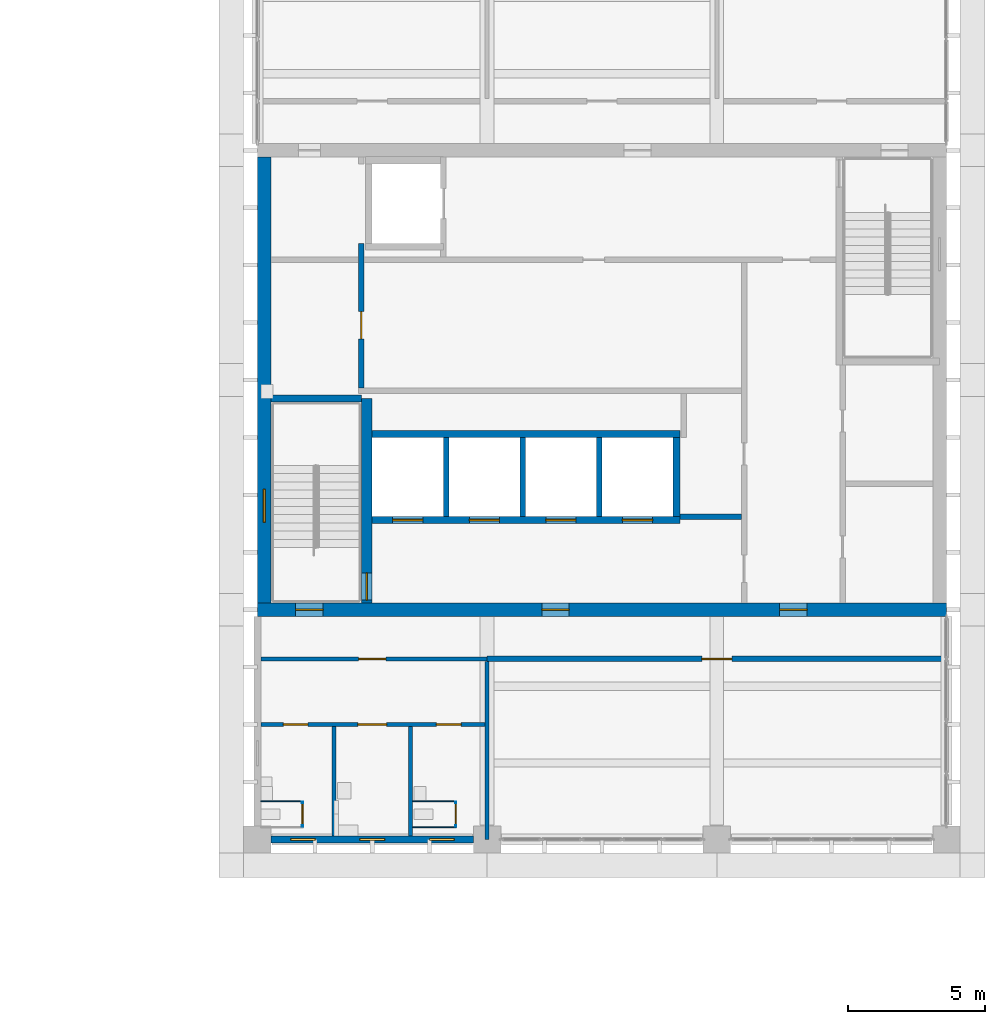
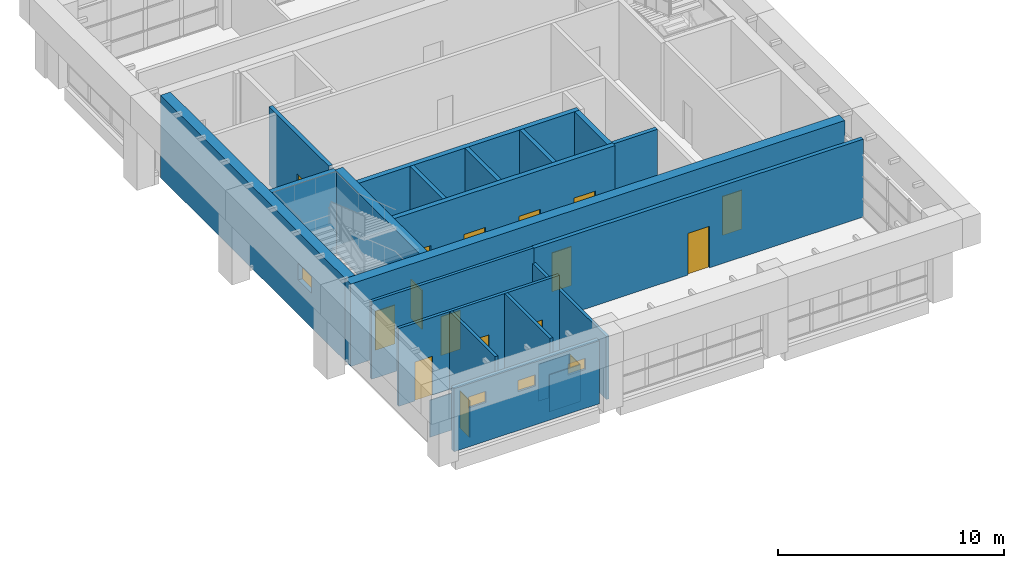
# One storey, part 29 of 56: 24 walls, 16 doors, 4 windows, 20 openings.
"""IFC4 building model written with IfcOpenShell, lengths in metres."""

from ifc_helpers import new_model, si_unit, direction, frame, frame_2d, origin, place, context, subcontext, project, spatial, rectangle, extrude, material, layer, layer_set, type_object, element, fill, save


model = new_model("IFC4")

# Units and contexts
model_context = context("Model", 3, precision=1e-05, world=origin(), true_north=direction((0.0, 1.0)))
body_context = subcontext(model_context, "Body", "Model", "MODEL_VIEW")
ifc_project = project(units=[si_unit("LENGTHUNIT", "METRE"), si_unit("AREAUNIT", "SQUARE_METRE"), si_unit("VOLUMEUNIT", "CUBIC_METRE"), si_unit("PLANEANGLEUNIT", "RADIAN"), si_unit("MASSUNIT", "GRAM", prefix="KILO")], contexts=[model_context])

# Site, building, storey
site_placement = place(None, origin())
site = spatial("IfcSite", under=ifc_project, at=site_placement, CompositionType="ELEMENT")
building_placement = place(site_placement, origin())
building = spatial("IfcBuilding", under=site, at=building_placement, Name="Rulbaag Community and Learning Centre", CompositionType="ELEMENT")
storey_placement = place(building_placement, frame((0.0, 0.0, 9.89990234375)))
storey = spatial("IfcBuildingStorey", under=building, at=storey_placement, Name="L02", CompositionType="ELEMENT", Elevation=9.89990234375)

# Wall
ifc_material_1 = material(Name="High pressure laminate", Category="wood")
ifc_layer_1 = layer(ifc_material_1, 0.0400390625)
ifc_layer_set_1 = layer_set([ifc_layer_1], Name="CP-40")
wall_type_1 = type_object("IfcWallType", Name="CP-40", PredefinedType="PARTITIONING", material=ifc_layer_set_1)
wall_1_placement = place(storey_placement, frame((142.925048828125, 85.389892578125, 0.0), z_axis=(0.0, 0.0, 1.0), x_axis=(1.0, 0.0, 0.0)))
element("IfcWall", 1, at=wall_1_placement, inside=storey, type_object=wall_type_1, Name="Cubicle partition", PredefinedType="PARTITIONING", context=body_context, shape_type="SweptSolid", body=[
    extrude(rectangle(XDim=1.544921875, YDim=0.0400390625, at=frame_2d((0.7724609375, 0.0))), origin(), (0.0, 0.0, 1.0), 2.0),
])

# Wall, opening, door
wall_2_placement = place(storey_placement, frame((144.449951171875, 84.469970703125, 0.0), z_axis=(0.0, 0.0, 1.0), x_axis=(0.0, 1.0, 0.0)))
wall_2 = element("IfcWall", 2, at=wall_2_placement, inside=storey, type_object=wall_type_1, Name="Cubicle partition", PredefinedType="PARTITIONING", context=body_context, shape_type="SweptSolid", body=[
    extrude(rectangle(XDim=0.900146484375, YDim=0.0400390625, at=frame_2d((0.4501953125, 0.0))), origin(), (0.0, 0.0, 1.0), 2.0),
])
opening_1_placement = place(wall_2_placement, frame((0.050048828125, 0.0, 0.0)))
opening_1 = element("IfcOpeningElement", 3, at=opening_1_placement, cuts=wall_2, Name="Opening L02-D080", PredefinedType="OPENING", context=body_context, shape_type="SweptSolid", body=[
    extrude(rectangle(XDim=0.800048828125, YDim=2.0, at=frame_2d((0.39990234375, 1.0))), frame((0.0, 0.030029296875, 0.0), z_axis=(0.0, -1.0, 0.0), x_axis=(1.0, 0.0, 0.0)), (0.0, 0.0, 1.0), 0.06005859375),
])
door_type_1 = type_object("IfcDoorType", Name="DC-80", OperationType="SINGLE_SWING_LEFT", PredefinedType="DOOR", material=ifc_material_1)
door_1_placement = place(opening_1_placement, origin())
door_1 = element("IfcDoor", 4, at=door_1_placement, inside=storey, type_object=door_type_1, Name="Cubicle door", OperationType="SINGLE_SWING_LEFT", OverallHeight=2.0, OverallWidth=0.800048828125, PredefinedType="DOOR", context=body_context, shape_type="SweptSolid", body=[
    extrude(rectangle(XDim=0.800048828125, YDim=2.0, at=frame_2d((0.39990234375, 1.0))), frame((0.0, 0.019775390625, 0.0), z_axis=(0.0, -1.0, 0.0), x_axis=(1.0, 0.0, 0.0)), (0.0, 0.0, 1.0), 0.03955078125),
])
fill(opening_1, door_1)

# Walls
for number, where, z_axis, x_axis, name in (
    (5, (148.47509765625, 84.449951171875, 0.0), (0.0, 0.0, 1.0), (1.0, 0.0, 0.0), "Cubicle partition"),
    (6, (148.47509765625, 85.389892578125, 0.0), (0.0, 0.0, 1.0), (1.0, 0.0, 0.0), "Cubicle partition"),
):
    element("IfcWall", number, at=place(storey_placement, frame(where, z_axis=z_axis, x_axis=x_axis)), inside=storey, type_object=wall_type_1, Name=name, PredefinedType="PARTITIONING", context=body_context, shape_type="SweptSolid", body=[
        extrude(rectangle(XDim=1.594970703125, YDim=0.0400390625, at=frame_2d((0.79736328125, 0.0))), origin(), (0.0, 0.0, 1.0), 2.0),
    ])

# Wall, opening, door
wall_3_placement = place(storey_placement, frame((150.050048828125, 84.469970703125, 0.0), z_axis=(0.0, 0.0, 1.0), x_axis=(0.0, 1.0, 0.0)))
wall_3 = element("IfcWall", 7, at=wall_3_placement, inside=storey, type_object=wall_type_1, Name="Cubicle partition", PredefinedType="PARTITIONING", context=body_context, shape_type="SweptSolid", body=[
    extrude(rectangle(XDim=0.900146484375, YDim=0.0400390625, at=frame_2d((0.4501953125, 0.0))), origin(), (0.0, 0.0, 1.0), 2.0),
])
opening_2_placement = place(wall_3_placement, frame((0.050048828125, 0.0, 0.0)))
opening_2 = element("IfcOpeningElement", 8, at=opening_2_placement, cuts=wall_3, Name="Opening L02-D091", PredefinedType="OPENING", context=body_context, shape_type="SweptSolid", body=[
    extrude(rectangle(XDim=0.800048828125, YDim=2.0, at=frame_2d((0.39990234375, 1.0))), frame((0.0, 0.030029296875, 0.0), z_axis=(0.0, -1.0, 0.0), x_axis=(1.0, 0.0, 0.0)), (0.0, 0.0, 1.0), 0.06005859375),
])
door_2_placement = place(opening_2_placement, origin())
door_2 = element("IfcDoor", 9, at=door_2_placement, inside=storey, type_object=door_type_1, Name="Cubicle door", OperationType="SINGLE_SWING_LEFT", OverallHeight=2.0, OverallWidth=0.800048828125, PredefinedType="DOOR", context=body_context, shape_type="SweptSolid", body=[
    extrude(rectangle(XDim=0.800048828125, YDim=2.0, at=frame_2d((0.39990234375, 1.0))), frame((0.0, 0.019775390625, 0.0), z_axis=(0.0, -1.0, 0.0), x_axis=(1.0, 0.0, 0.0)), (0.0, 0.0, 1.0), 0.03955078125),
])
fill(opening_2, door_2)

# Wall, openings, windows
ifc_material_2 = material(Name="Concrete M40", Category="concrete")
ifc_layer_2 = layer(ifc_material_2, 0.25)
ifc_layer_set_2 = layer_set([ifc_layer_2], Name="EW-CONC250")
wall_type_2 = type_object("IfcWallType", Name="EW-CONC250", PredefinedType="STANDARD", material=ifc_layer_set_2)
wall_4_placement = place(storey_placement, frame((143.300048828125, 84.0, 0.0), z_axis=(0.0, 0.0, 1.0), x_axis=(1.0, 0.0, 0.0)))
wall_4 = element("IfcWall", 10, at=wall_4_placement, inside=storey, type_object=wall_type_2, Name="Board-marked concrete cladding wall BS", PredefinedType="STANDARD", context=body_context, shape_type="SweptSolid", body=[
    extrude(rectangle(XDim=7.39990234375, YDim=0.25, at=frame_2d((3.699951171875, 0.0))), origin(), (0.0, 0.0, 1.0), 3.400146484375),
])
opening_3_placement = place(wall_4_placement, frame((0.72509765625, 0.0, 2.10009765625)))
opening_3 = element("IfcOpeningElement", 11, at=opening_3_placement, cuts=wall_4, Name="Opening WN5", PredefinedType="OPENING", context=body_context, shape_type="SweptSolid", body=[
    extrude(rectangle(XDim=0.89990234375, YDim=0.60009765625, at=frame_2d((0.449951171875, 0.300048828125))), frame((0.0, 0.135009765625, 0.0), z_axis=(0.0, -1.0, 0.0), x_axis=(1.0, 0.0, 0.0)), (0.0, 0.0, 1.0), 0.27001953125),
])
opening_4_placement = place(wall_4_placement, frame((3.25, 0.0, 2.10009765625)))
opening_4 = element("IfcOpeningElement", 12, at=opening_4_placement, cuts=wall_4, Name="Opening WN5", PredefinedType="OPENING", context=body_context, shape_type="SweptSolid", body=[
    extrude(rectangle(XDim=0.89990234375, YDim=0.60009765625, at=frame_2d((0.449951171875, 0.300048828125))), frame((0.0, 0.135009765625, 0.0), z_axis=(0.0, -1.0, 0.0), x_axis=(1.0, 0.0, 0.0)), (0.0, 0.0, 1.0), 0.27001953125),
])
opening_5_placement = place(wall_4_placement, frame((5.800048828125, 0.0, 2.10009765625)))
opening_5 = element("IfcOpeningElement", 13, at=opening_5_placement, cuts=wall_4, Name="Opening WN5", PredefinedType="OPENING", context=body_context, shape_type="SweptSolid", body=[
    extrude(rectangle(XDim=0.89990234375, YDim=0.60009765625, at=frame_2d((0.449951171875, 0.300048828125))), frame((0.0, 0.135009765625, 0.0), z_axis=(0.0, -1.0, 0.0), x_axis=(1.0, 0.0, 0.0)), (0.0, 0.0, 1.0), 0.27001953125),
])
ifc_material_3 = material(Name="Aluminium", Category="aluminium")
window_type_1 = type_object("IfcWindowType", Name="WK-09", PartitioningType="SINGLE_PANEL", PredefinedType="WINDOW", material=ifc_material_3)
window_1_placement = place(opening_3_placement, origin())
window_1 = element("IfcWindow", 14, at=window_1_placement, inside=storey, type_object=window_type_1, Name="Window WN5", OverallHeight=0.60009765625, OverallWidth=0.89990234375, PartitioningType="SINGLE_PANEL", PredefinedType="WINDOW", context=body_context, shape_type="SweptSolid", body=[
    extrude(rectangle(XDim=0.89990234375, YDim=0.60009765625, at=frame_2d((0.449951171875, 0.300048828125))), frame((0.0, 0.030029296875, 0.0), z_axis=(0.0, -1.0, 0.0), x_axis=(1.0, 0.0, 0.0)), (0.0, 0.0, 1.0), 0.06005859375),
])
fill(opening_3, window_1)
window_2_placement = place(opening_4_placement, origin())
window_2 = element("IfcWindow", 15, at=window_2_placement, inside=storey, type_object=window_type_1, Name="Window WN5", OverallHeight=0.60009765625, OverallWidth=0.89990234375, PartitioningType="SINGLE_PANEL", PredefinedType="WINDOW", context=body_context, shape_type="SweptSolid", body=[
    extrude(rectangle(XDim=0.89990234375, YDim=0.60009765625, at=frame_2d((0.449951171875, 0.300048828125))), frame((0.0, 0.030029296875, 0.0), z_axis=(0.0, -1.0, 0.0), x_axis=(1.0, 0.0, 0.0)), (0.0, 0.0, 1.0), 0.06005859375),
])
fill(opening_4, window_2)
window_3_placement = place(opening_5_placement, origin())
window_3 = element("IfcWindow", 16, at=window_3_placement, inside=storey, type_object=window_type_1, Name="Window WN5", OverallHeight=0.60009765625, OverallWidth=0.89990234375, PartitioningType="SINGLE_PANEL", PredefinedType="WINDOW", context=body_context, shape_type="SweptSolid", body=[
    extrude(rectangle(XDim=0.89990234375, YDim=0.60009765625, at=frame_2d((0.449951171875, 0.300048828125))), frame((0.0, 0.030029296875, 0.0), z_axis=(0.0, -1.0, 0.0), x_axis=(1.0, 0.0, 0.0)), (0.0, 0.0, 1.0), 0.06005859375),
])
fill(opening_5, window_3)

# Wall, opening, door
ifc_material_4 = material(Name="Concrete blockwork", Category="masonry")
ifc_layer_3 = layer(ifc_material_4, 0.199951171875)
ifc_layer_set_3 = layer_set([ifc_layer_3], Name="FW-200 FIRE WALL 200")
wall_type_3 = type_object("IfcWallType", Name="FW-200 FIRE WALL 200", PredefinedType="SOLIDWALL", material=ifc_layer_set_3)
wall_5_placement = place(storey_placement, frame((151.199951171875, 90.60009765625, 0.0), z_axis=(0.0, 0.0, 1.0), x_axis=(1.0, 0.0, 0.0)))
wall_5 = element("IfcWall", 17, at=wall_5_placement, inside=storey, type_object=wall_type_3, Name="Fire wall L02 40", PredefinedType="SOLIDWALL", context=body_context, shape_type="SweptSolid", body=[
    extrude(rectangle(XDim=16.800048828125, YDim=0.199951171875, at=frame_2d((8.39990234375, 0.0))), origin(), (0.0, 0.0, 1.0), 4.2001953125),
])
opening_6_placement = place(wall_5_placement, frame((7.85009765625, 0.0, 0.0)))
opening_6 = element("IfcOpeningElement", 18, at=opening_6_placement, cuts=wall_5, Name="Opening L02-D118", PredefinedType="OPENING", context=body_context, shape_type="SweptSolid", body=[
    extrude(rectangle(XDim=1.10009765625, YDim=2.25, at=frame_2d((0.550048828125, 1.125))), frame((0.0, 0.10986328125, 0.0), z_axis=(0.0, -1.0, 0.0), x_axis=(1.0, 0.0, 0.0)), (0.0, 0.0, 1.0), 0.219970703125),
])
ifc_material_5 = material(Name="Timber", Category="wood")
door_type_2 = type_object("IfcDoorType", Name="D-1100 OFFICE SUITE ENTRANCE DOOR 1100 x 2250", OperationType="SINGLE_SWING_LEFT", PredefinedType="DOOR", material=ifc_material_5)
door_3_placement = place(opening_6_placement, origin())
door_3 = element("IfcDoor", 19, at=door_3_placement, inside=storey, type_object=door_type_2, Name="Door L02-D118", OperationType="SINGLE_SWING_LEFT", OverallHeight=2.25, OverallWidth=1.10009765625, PredefinedType="DOOR", context=body_context, shape_type="SweptSolid", body=[
    extrude(rectangle(XDim=1.10009765625, YDim=2.25, at=frame_2d((0.550048828125, 1.125))), frame((0.0, 0.02490234375, 0.0), z_axis=(0.0, -1.0, 0.0), x_axis=(1.0, 0.0, 0.0)), (0.0, 0.0, 1.0), 0.050048828125),
])
fill(opening_6, door_3)

# Wall
wall_6_placement = place(storey_placement, frame((158.25, 95.800048828125, 0.0), z_axis=(0.0, 0.0, 1.0), x_axis=(1.0, 0.0, 0.0)))
element("IfcWall", 20, at=wall_6_placement, inside=storey, type_object=wall_type_3, Name="Fire wall L02 42", PredefinedType="SOLIDWALL", context=body_context, shape_type="SweptSolid", body=[
    extrude(rectangle(XDim=2.25, YDim=0.199951171875, at=frame_2d((1.125, 0.0))), origin(), (0.0, 0.0, 1.0), 4.2001953125),
])

# Wall, opening, door
wall_7_placement = place(storey_placement, frame((146.60009765625, 100.5, 0.0), z_axis=(0.0, 0.0, 1.0), x_axis=(0.0, 1.0, 0.0)))
wall_7 = element("IfcWall", 21, at=wall_7_placement, inside=storey, type_object=wall_type_3, Name="Fire wall L02 73", PredefinedType="SOLIDWALL", context=body_context, shape_type="SweptSolid", body=[
    extrude(rectangle(XDim=5.300048828125, YDim=0.199951171875, at=frame_2d((2.64990234375, 0.0))), origin(), (0.0, 0.0, 1.0), 4.2001953125),
])
opening_7_placement = place(wall_7_placement, frame((1.800048828125, 0.0, 0.0)))
opening_7 = element("IfcOpeningElement", 22, at=opening_7_placement, cuts=wall_7, Name="Opening L02-D083", PredefinedType="OPENING", context=body_context, shape_type="SweptSolid", body=[
    extrude(rectangle(XDim=1.0, YDim=2.10009765625, at=frame_2d((0.5, 1.050048828125))), frame((0.0, 0.10986328125, 0.0), z_axis=(0.0, -1.0, 0.0), x_axis=(1.0, 0.0, 0.0)), (0.0, 0.0, 1.0), 0.219970703125),
])
ifc_material_6 = material(Name="Galvanised steel", Category="steel")
door_type_3 = type_object("IfcDoorType", Name="FD-1000 FIRE DOOR 1000 x 2100", OperationType="SINGLE_SWING_LEFT", PredefinedType="DOOR", material=ifc_material_6)
door_4_placement = place(opening_7_placement, origin())
door_4 = element("IfcDoor", 23, at=door_4_placement, inside=storey, type_object=door_type_3, Name="Door L02-D083", OperationType="SINGLE_SWING_LEFT", OverallHeight=2.10009765625, OverallWidth=1.0, PredefinedType="DOOR", context=body_context, shape_type="SweptSolid", body=[
    extrude(rectangle(XDim=1.0, YDim=2.10009765625, at=frame_2d((0.5, 1.050048828125))), frame((0.0, 0.02490234375, 0.0), z_axis=(0.0, -1.0, 0.0), x_axis=(1.0, 0.0, 0.0)), (0.0, 0.0, 1.0), 0.050048828125),
])
fill(opening_7, door_4)

# Wall, openings, doors
ifc_layer_4 = layer(ifc_material_4, 0.14990234375)
ifc_layer_set_4 = layer_set([ifc_layer_4], Name="IP-150 PARTITION 150")
wall_type_4 = type_object("IfcWallType", Name="IP-150 PARTITION 150", PredefinedType="PARTITIONING", material=ifc_layer_set_4)
wall_8_placement = place(storey_placement, frame((142.925048828125, 88.199951171875, 0.0), z_axis=(0.0, 0.0, 1.0), x_axis=(1.0, 0.0, 0.0)))
wall_8 = element("IfcWall", 24, at=wall_8_placement, inside=storey, type_object=wall_type_4, Name="Partition L02 38", PredefinedType="PARTITIONING", context=body_context, shape_type="SweptSolid", body=[
    extrude(rectangle(XDim=8.199951171875, YDim=0.14990234375, at=frame_2d((4.10009765625, 0.0))), origin(), (0.0, 0.0, 1.0), 4.2001953125),
])
opening_8_placement = place(wall_8_placement, frame((0.824951171875, 0.0, 0.0)))
opening_8 = element("IfcOpeningElement", 25, at=opening_8_placement, cuts=wall_8, Name="Opening L02-D079", PredefinedType="OPENING", context=body_context, shape_type="SweptSolid", body=[
    extrude(rectangle(XDim=0.89990234375, YDim=2.10009765625, at=frame_2d((0.449951171875, 1.050048828125))), frame((0.0, 0.0849609375, 0.0), z_axis=(0.0, -1.0, 0.0), x_axis=(1.0, 0.0, 0.0)), (0.0, 0.0, 1.0), 0.169921875),
])
opening_9_placement = place(wall_8_placement, frame((3.550048828125, 0.0, 0.0)))
opening_9 = element("IfcOpeningElement", 26, at=opening_9_placement, cuts=wall_8, Name="Opening L02-D085", PredefinedType="OPENING", context=body_context, shape_type="SweptSolid", body=[
    extrude(rectangle(XDim=1.050048828125, YDim=2.25, at=frame_2d((0.52490234375, 1.125))), frame((0.0, 0.0849609375, 0.0), z_axis=(0.0, -1.0, 0.0), x_axis=(1.0, 0.0, 0.0)), (0.0, 0.0, 1.0), 0.169921875),
])
opening_10_placement = place(wall_8_placement, frame((6.425048828125, 0.0, 0.0)))
opening_10 = element("IfcOpeningElement", 27, at=opening_10_placement, cuts=wall_8, Name="Opening L02-D090", PredefinedType="OPENING", context=body_context, shape_type="SweptSolid", body=[
    extrude(rectangle(XDim=0.89990234375, YDim=2.10009765625, at=frame_2d((0.449951171875, 1.050048828125))), frame((0.0, 0.0849609375, 0.0), z_axis=(0.0, -1.0, 0.0), x_axis=(1.0, 0.0, 0.0)), (0.0, 0.0, 1.0), 0.169921875),
])
door_type_4 = type_object("IfcDoorType", Name="D-1050 ACCESSIBLE TOILET DOOR 1050 x 2250", OperationType="SINGLE_SWING_LEFT", PredefinedType="DOOR", material=ifc_material_5)
door_5_placement = place(opening_9_placement, origin())
door_5 = element("IfcDoor", 28, at=door_5_placement, inside=storey, type_object=door_type_4, Name="Door L02-D085", OperationType="SINGLE_SWING_LEFT", OverallHeight=2.25, OverallWidth=1.050048828125, PredefinedType="DOOR", context=body_context, shape_type="SweptSolid", body=[
    extrude(rectangle(XDim=1.050048828125, YDim=2.25, at=frame_2d((0.52490234375, 1.125))), frame((0.0, 0.02490234375, 0.0), z_axis=(0.0, -1.0, 0.0), x_axis=(1.0, 0.0, 0.0)), (0.0, 0.0, 1.0), 0.050048828125),
])
fill(opening_9, door_5)
door_type_5 = type_object("IfcDoorType", Name="DW-900 TOILET DOOR 900 x 2100", OperationType="SINGLE_SWING_LEFT", PredefinedType="DOOR", material=ifc_material_5)
door_6_placement = place(opening_8_placement, origin())
door_6 = element("IfcDoor", 29, at=door_6_placement, inside=storey, type_object=door_type_5, Name="Door L02-D079", OperationType="SINGLE_SWING_LEFT", OverallHeight=2.10009765625, OverallWidth=0.89990234375, PredefinedType="DOOR", context=body_context, shape_type="SweptSolid", body=[
    extrude(rectangle(XDim=0.89990234375, YDim=2.10009765625, at=frame_2d((0.449951171875, 1.050048828125))), frame((0.0, 0.02490234375, 0.0), z_axis=(0.0, -1.0, 0.0), x_axis=(1.0, 0.0, 0.0)), (0.0, 0.0, 1.0), 0.050048828125),
])
fill(opening_8, door_6)
door_7_placement = place(opening_10_placement, origin())
door_7 = element("IfcDoor", 30, at=door_7_placement, inside=storey, type_object=door_type_5, Name="Door L02-D090", OperationType="SINGLE_SWING_RIGHT", OverallHeight=2.10009765625, OverallWidth=0.89990234375, PredefinedType="DOOR", context=body_context, shape_type="SweptSolid", body=[
    extrude(rectangle(XDim=0.89990234375, YDim=2.10009765625, at=frame_2d((0.449951171875, 1.050048828125))), frame((0.0, 0.02490234375, 0.0), z_axis=(0.0, -1.0, 0.0), x_axis=(1.0, 0.0, 0.0)), (0.0, 0.0, 1.0), 0.050048828125),
])
fill(opening_10, door_7)

# Wall, opening, door
wall_9_placement = place(storey_placement, frame((142.925048828125, 90.60009765625, 0.0), z_axis=(0.0, 0.0, 1.0), x_axis=(1.0, 0.0, 0.0)))
wall_9 = element("IfcWall", 31, at=wall_9_placement, inside=storey, type_object=wall_type_4, Name="Partition L02 39", PredefinedType="PARTITIONING", context=body_context, shape_type="SweptSolid", body=[
    extrude(rectangle(XDim=8.27490234375, YDim=0.14990234375, at=frame_2d((4.137451171875, 0.0))), origin(), (0.0, 0.0, 1.0), 4.2001953125),
])
opening_11_placement = place(wall_9_placement, frame((3.574951171875, 0.0, 0.0)))
opening_11 = element("IfcOpeningElement", 32, at=opening_11_placement, cuts=wall_9, Name="Opening L02-D086", PredefinedType="OPENING", context=body_context, shape_type="SweptSolid", body=[
    extrude(rectangle(XDim=1.0, YDim=2.10009765625, at=frame_2d((0.5, 1.050048828125))), frame((0.0, 0.0849609375, 0.0), z_axis=(0.0, -1.0, 0.0), x_axis=(1.0, 0.0, 0.0)), (0.0, 0.0, 1.0), 0.169921875),
])
door_type_6 = type_object("IfcDoorType", Name="D-1000 DOOR 1000 x 2100", OperationType="SINGLE_SWING_LEFT", PredefinedType="DOOR", material=ifc_material_5)
door_8_placement = place(opening_11_placement, origin())
door_8 = element("IfcDoor", 33, at=door_8_placement, inside=storey, type_object=door_type_6, Name="Door L02-D086", OperationType="SINGLE_SWING_RIGHT", OverallHeight=2.10009765625, OverallWidth=1.0, PredefinedType="DOOR", context=body_context, shape_type="SweptSolid", body=[
    extrude(rectangle(XDim=1.0, YDim=2.10009765625, at=frame_2d((0.5, 1.050048828125))), frame((0.0, 0.02490234375, 0.0), z_axis=(0.0, -1.0, 0.0), x_axis=(1.0, 0.0, 0.0)), (0.0, 0.0, 1.0), 0.050048828125),
])
fill(opening_11, door_8)

# Walls
for number, where, z_axis, x_axis, name in (
    (34, (145.60009765625, 84.125, 0.0), (0.0, 0.0, 1.0), (0.0, 1.0, 0.0), "Partition L02 72"),
    (35, (148.39990234375, 84.125, 0.0), (0.0, 0.0, 1.0), (0.0, 1.0, 0.0), "Partition L02 75"),
):
    element("IfcWall", number, at=place(storey_placement, frame(where, z_axis=z_axis, x_axis=x_axis)), inside=storey, type_object=wall_type_4, Name=name, PredefinedType="PARTITIONING", context=body_context, shape_type="SweptSolid", body=[
        extrude(rectangle(XDim=4.0, YDim=0.14990234375, at=frame_2d((2.0, 0.0))), origin(), (0.0, 0.0, 1.0), 4.2001953125),
    ])
wall_10_placement = place(storey_placement, frame((151.199951171875, 84.0, 0.0), z_axis=(0.0, 0.0, 1.0), x_axis=(0.0, 1.0, 0.0)))
element("IfcWall", 36, at=wall_10_placement, inside=storey, type_object=wall_type_4, Name="Partition L02 80", PredefinedType="PARTITIONING", context=body_context, shape_type="SweptSolid", body=[
    extrude(rectangle(XDim=6.5, YDim=0.14990234375, at=frame_2d((3.25, 0.0))), origin(), (0.0, 0.0, 1.0), 3.400146484375),
])

# Wall, openings, doors
ifc_material_7 = material(Name="Concrete M60", Category="concrete")
ifc_layer_5 = layer(ifc_material_7, 0.5)
ifc_layer_set_5 = layer_set([ifc_layer_5], Name="W4 Core wall 500 Concrete M60")
wall_type_5 = type_object("IfcWallType", Name="W4 Core wall 500 Concrete M60", PredefinedType="SHEAR", material=ifc_layer_set_5)
wall_11_placement = place(storey_placement, frame((142.800048828125, 92.39990234375, -0.25), z_axis=(0.0, 0.0, 1.0), x_axis=(1.0, 0.0, 0.0)))
wall_11 = element("IfcWall", 37, at=wall_11_placement, inside=storey, type_object=wall_type_5, Name="WL-CORE-S-L02", PredefinedType="SHEAR", context=body_context, shape_type="SweptSolid", body=[
    extrude(rectangle(XDim=25.199951171875, YDim=0.5, at=frame_2d((12.60009765625, 0.0))), origin(), (0.0, 0.0, 1.0), 4.4501953125),
])
opening_12_placement = place(wall_11_placement, frame((1.39990234375, 0.0, 0.25)))
opening_12 = element("IfcOpeningElement", 38, at=opening_12_placement, cuts=wall_11, Name="Opening L02-D081", PredefinedType="OPENING", context=body_context, shape_type="SweptSolid", body=[
    extrude(rectangle(XDim=1.0, YDim=2.10009765625, at=frame_2d((0.5, 1.050048828125))), frame((0.0, 0.260009765625, 0.0), z_axis=(0.0, -1.0, 0.0), x_axis=(1.0, 0.0, 0.0)), (0.0, 0.0, 1.0), 0.52001953125),
])
opening_13_placement = place(wall_11_placement, frame((19.10009765625, 0.0, 0.25)))
opening_13 = element("IfcOpeningElement", 39, at=opening_13_placement, cuts=wall_11, Name="Opening L02-D127", PredefinedType="OPENING", context=body_context, shape_type="SweptSolid", body=[
    extrude(rectangle(XDim=1.0, YDim=2.10009765625, at=frame_2d((0.5, 1.050048828125))), frame((0.0, 0.260009765625, 0.0), z_axis=(0.0, -1.0, 0.0), x_axis=(1.0, 0.0, 0.0)), (0.0, 0.0, 1.0), 0.52001953125),
])
opening_14_placement = place(wall_11_placement, frame((10.39990234375, 0.0, 0.25)))
opening_14 = element("IfcOpeningElement", 40, at=opening_14_placement, cuts=wall_11, Name="Opening L02-D103", PredefinedType="OPENING", context=body_context, shape_type="SweptSolid", body=[
    extrude(rectangle(XDim=1.0, YDim=2.10009765625, at=frame_2d((0.5, 1.050048828125))), frame((0.0, 0.260009765625, 0.0), z_axis=(0.0, -1.0, 0.0), x_axis=(1.0, 0.0, 0.0)), (0.0, 0.0, 1.0), 0.52001953125),
])
door_9_placement = place(opening_13_placement, origin())
door_9 = element("IfcDoor", 41, at=door_9_placement, inside=storey, type_object=door_type_6, Name="Door L02-D127", OperationType="SINGLE_SWING_LEFT", OverallHeight=2.10009765625, OverallWidth=1.0, PredefinedType="DOOR", context=body_context, shape_type="SweptSolid", body=[
    extrude(rectangle(XDim=1.0, YDim=2.10009765625, at=frame_2d((0.5, 1.050048828125))), frame((0.0, 0.02490234375, 0.0), z_axis=(0.0, -1.0, 0.0), x_axis=(1.0, 0.0, 0.0)), (0.0, 0.0, 1.0), 0.050048828125),
])
fill(opening_13, door_9)
door_10_placement = place(opening_12_placement, origin())
door_10 = element("IfcDoor", 42, at=door_10_placement, inside=storey, type_object=door_type_3, Name="Door L02-D081", OperationType="SINGLE_SWING_RIGHT", OverallHeight=2.10009765625, OverallWidth=1.0, PredefinedType="DOOR", context=body_context, shape_type="SweptSolid", body=[
    extrude(rectangle(XDim=1.0, YDim=2.10009765625, at=frame_2d((0.5, 1.050048828125))), frame((0.0, 0.02490234375, 0.0), z_axis=(0.0, -1.0, 0.0), x_axis=(1.0, 0.0, 0.0)), (0.0, 0.0, 1.0), 0.050048828125),
])
fill(opening_12, door_10)
door_11_placement = place(opening_14_placement, origin())
door_11 = element("IfcDoor", 43, at=door_11_placement, inside=storey, type_object=door_type_3, Name="Door L02-D103", OperationType="SINGLE_SWING_RIGHT", OverallHeight=2.10009765625, OverallWidth=1.0, PredefinedType="DOOR", context=body_context, shape_type="SweptSolid", body=[
    extrude(rectangle(XDim=1.0, YDim=2.10009765625, at=frame_2d((0.5, 1.050048828125))), frame((0.0, 0.02490234375, 0.0), z_axis=(0.0, -1.0, 0.0), x_axis=(1.0, 0.0, 0.0)), (0.0, 0.0, 1.0), 0.050048828125),
])
fill(opening_14, door_11)

# Wall, opening, window
wall_12_placement = place(storey_placement, frame((143.050048828125, 92.64990234375, -0.25), z_axis=(0.0, 0.0, 1.0), x_axis=(0.0, 1.0, 0.0)))
wall_12 = element("IfcWall", 44, at=wall_12_placement, inside=storey, type_object=wall_type_5, Name="WL-CORE-W-L02", PredefinedType="SHEAR", context=body_context, shape_type="SweptSolid", body=[
    extrude(rectangle(XDim=16.300048828125, YDim=0.5, at=frame_2d((8.14990234375, 0.0))), origin(), (0.0, 0.0, 1.0), 4.4501953125),
])
opening_15_placement = place(wall_12_placement, frame((2.949951171875, 0.0, 1.85009765625)))
opening_15 = element("IfcOpeningElement", 45, at=opening_15_placement, cuts=wall_12, Name="Opening WN19", PredefinedType="OPENING", context=body_context, shape_type="SweptSolid", body=[
    extrude(rectangle(XDim=1.199951171875, YDim=0.89990234375, at=frame_2d((0.60009765625, 0.449951171875))), frame((0.0, 0.260009765625, 0.0), z_axis=(0.0, -1.0, 0.0), x_axis=(1.0, 0.0, 0.0)), (0.0, 0.0, 1.0), 0.52001953125),
])
window_type_2 = type_object("IfcWindowType", Name="WS-12", PartitioningType="SINGLE_PANEL", PredefinedType="WINDOW", material=ifc_material_3)
window_4_placement = place(opening_15_placement, origin())
window_4 = element("IfcWindow", 46, at=window_4_placement, inside=storey, type_object=window_type_2, Name="Stair window", OverallHeight=0.89990234375, OverallWidth=1.199951171875, PartitioningType="SINGLE_PANEL", PredefinedType="WINDOW", context=body_context, shape_type="SweptSolid", body=[
    extrude(rectangle(XDim=1.199951171875, YDim=0.89990234375, at=frame_2d((0.60009765625, 0.449951171875))), frame((0.0, 0.030029296875, 0.0), z_axis=(0.0, -1.0, 0.0), x_axis=(1.0, 0.0, 0.0)), (0.0, 0.0, 1.0), 0.06005859375),
])
fill(opening_15, window_4)

# Wall
ifc_layer_6 = layer(ifc_material_2, 0.25)
ifc_layer_set_6 = layer_set([ifc_layer_6], Name="W5 Shaft wall 250 Concrete M40")
wall_type_6 = type_object("IfcWallType", Name="W5 Shaft wall 250 Concrete M40", PredefinedType="SHEAR", material=ifc_layer_set_6)
wall_13_placement = place(storey_placement, frame((143.300048828125, 100.125, -0.25), z_axis=(0.0, 0.0, 1.0), x_axis=(1.0, 0.0, 0.0)))
element("IfcWall", 47, at=wall_13_placement, inside=storey, type_object=wall_type_6, Name="WL-ST1-N-L02", PredefinedType="SHEAR", context=body_context, shape_type="SweptSolid", body=[
    extrude(rectangle(XDim=3.300048828125, YDim=0.25, at=frame_2d((1.64990234375, 0.0))), origin(), (0.0, 0.0, 1.0), 4.4501953125),
])

# Wall, openings, doors
wall_14_placement = place(storey_placement, frame((147.0, 95.675048828125, -0.25), z_axis=(0.0, 0.0, 1.0), x_axis=(1.0, 0.0, 0.0)))
wall_14 = element("IfcWall", 48, at=wall_14_placement, inside=storey, type_object=wall_type_6, Name="WL-LP-S-L02", PredefinedType="SHEAR", context=body_context, shape_type="SweptSolid", body=[
    extrude(rectangle(XDim=11.25, YDim=0.25, at=frame_2d((5.625, 0.0))), origin(), (0.0, 0.0, 1.0), 4.4501953125),
])
opening_16_placement = place(wall_14_placement, frame((0.75, 0.0, 0.25)))
opening_16 = element("IfcOpeningElement", 49, at=opening_16_placement, cuts=wall_14, Name="Opening L02-D088", PredefinedType="OPENING", context=body_context, shape_type="SweptSolid", body=[
    extrude(rectangle(XDim=1.10009765625, YDim=2.10009765625, at=frame_2d((0.550048828125, 1.050048828125))), frame((0.0, 0.135009765625, 0.0), z_axis=(0.0, -1.0, 0.0), x_axis=(1.0, 0.0, 0.0)), (0.0, 0.0, 1.0), 0.27001953125),
])
opening_17_placement = place(wall_14_placement, frame((3.550048828125, 0.0, 0.25)))
opening_17 = element("IfcOpeningElement", 50, at=opening_17_placement, cuts=wall_14, Name="Opening L02-D094", PredefinedType="OPENING", context=body_context, shape_type="SweptSolid", body=[
    extrude(rectangle(XDim=1.10009765625, YDim=2.10009765625, at=frame_2d((0.550048828125, 1.050048828125))), frame((0.0, 0.135009765625, 0.0), z_axis=(0.0, -1.0, 0.0), x_axis=(1.0, 0.0, 0.0)), (0.0, 0.0, 1.0), 0.27001953125),
])
opening_18_placement = place(wall_14_placement, frame((6.35009765625, 0.0, 0.25)))
opening_18 = element("IfcOpeningElement", 51, at=opening_18_placement, cuts=wall_14, Name="Opening L02-D104", PredefinedType="OPENING", context=body_context, shape_type="SweptSolid", body=[
    extrude(rectangle(XDim=1.10009765625, YDim=2.10009765625, at=frame_2d((0.550048828125, 1.050048828125))), frame((0.0, 0.135009765625, 0.0), z_axis=(0.0, -1.0, 0.0), x_axis=(1.0, 0.0, 0.0)), (0.0, 0.0, 1.0), 0.27001953125),
])
opening_19_placement = place(wall_14_placement, frame((9.14990234375, 0.0, 0.25)))
opening_19 = element("IfcOpeningElement", 52, at=opening_19_placement, cuts=wall_14, Name="Opening L02-D109", PredefinedType="OPENING", context=body_context, shape_type="SweptSolid", body=[
    extrude(rectangle(XDim=1.10009765625, YDim=2.10009765625, at=frame_2d((0.550048828125, 1.050048828125))), frame((0.0, 0.135009765625, 0.0), z_axis=(0.0, -1.0, 0.0), x_axis=(1.0, 0.0, 0.0)), (0.0, 0.0, 1.0), 0.27001953125),
])
ifc_material_8 = material(Name="Stainless steel grade 304", Category="steel")
door_type_7 = type_object("IfcDoorType", Name="LD-1100 LIFT LANDING DOOR 1100 x 2100", OperationType="SLIDING_TO_LEFT", PredefinedType="DOOR", material=ifc_material_8)
door_12_placement = place(opening_16_placement, origin())
door_12 = element("IfcDoor", 53, at=door_12_placement, inside=storey, type_object=door_type_7, Name="Lift landing door LP1 L02", OperationType="SLIDING_TO_LEFT", OverallHeight=2.10009765625, OverallWidth=1.10009765625, PredefinedType="DOOR", context=body_context, shape_type="SweptSolid", body=[
    extrude(rectangle(XDim=1.10009765625, YDim=2.10009765625, at=frame_2d((0.550048828125, 1.050048828125))), frame((0.0, 0.02490234375, 0.0), z_axis=(0.0, -1.0, 0.0), x_axis=(1.0, 0.0, 0.0)), (0.0, 0.0, 1.0), 0.050048828125),
])
fill(opening_16, door_12)
door_13_placement = place(opening_17_placement, origin())
door_13 = element("IfcDoor", 54, at=door_13_placement, inside=storey, type_object=door_type_7, Name="Lift landing door LP2 L02", OperationType="SLIDING_TO_LEFT", OverallHeight=2.10009765625, OverallWidth=1.10009765625, PredefinedType="DOOR", context=body_context, shape_type="SweptSolid", body=[
    extrude(rectangle(XDim=1.10009765625, YDim=2.10009765625, at=frame_2d((0.550048828125, 1.050048828125))), frame((0.0, 0.02490234375, 0.0), z_axis=(0.0, -1.0, 0.0), x_axis=(1.0, 0.0, 0.0)), (0.0, 0.0, 1.0), 0.050048828125),
])
fill(opening_17, door_13)
door_14_placement = place(opening_18_placement, origin())
door_14 = element("IfcDoor", 55, at=door_14_placement, inside=storey, type_object=door_type_7, Name="Lift landing door LP3 L02", OperationType="SLIDING_TO_LEFT", OverallHeight=2.10009765625, OverallWidth=1.10009765625, PredefinedType="DOOR", context=body_context, shape_type="SweptSolid", body=[
    extrude(rectangle(XDim=1.10009765625, YDim=2.10009765625, at=frame_2d((0.550048828125, 1.050048828125))), frame((0.0, 0.02490234375, 0.0), z_axis=(0.0, -1.0, 0.0), x_axis=(1.0, 0.0, 0.0)), (0.0, 0.0, 1.0), 0.050048828125),
])
fill(opening_18, door_14)
door_15_placement = place(opening_19_placement, origin())
door_15 = element("IfcDoor", 56, at=door_15_placement, inside=storey, type_object=door_type_7, Name="Lift landing door LP4 L02", OperationType="SLIDING_TO_LEFT", OverallHeight=2.10009765625, OverallWidth=1.10009765625, PredefinedType="DOOR", context=body_context, shape_type="SweptSolid", body=[
    extrude(rectangle(XDim=1.10009765625, YDim=2.10009765625, at=frame_2d((0.550048828125, 1.050048828125))), frame((0.0, 0.02490234375, 0.0), z_axis=(0.0, -1.0, 0.0), x_axis=(1.0, 0.0, 0.0)), (0.0, 0.0, 1.0), 0.050048828125),
])
fill(opening_19, door_15)

# Walls
wall_15_placement = place(storey_placement, frame((147.0, 98.824951171875, -0.25), z_axis=(0.0, 0.0, 1.0), x_axis=(1.0, 0.0, 0.0)))
element("IfcWall", 57, at=wall_15_placement, inside=storey, type_object=wall_type_6, Name="WL-LP-N-L02", PredefinedType="SHEAR", context=body_context, shape_type="SweptSolid", body=[
    extrude(rectangle(XDim=11.25, YDim=0.25, at=frame_2d((5.625, 0.0))), origin(), (0.0, 0.0, 1.0), 4.4501953125),
])
wall_16_placement = place(storey_placement, frame((158.125, 95.800048828125, -0.25), z_axis=(0.0, 0.0, 1.0), x_axis=(0.0, 1.0, 0.0)))
element("IfcWall", 58, at=wall_16_placement, inside=storey, type_object=wall_type_6, Name="WL-LP-E-L02", PredefinedType="SHEAR", context=body_context, shape_type="SweptSolid", body=[
    extrude(rectangle(XDim=2.89990234375, YDim=0.25, at=frame_2d((1.449951171875, 0.0))), origin(), (0.0, 0.0, 1.0), 4.4501953125),
])
ifc_layer_7 = layer(ifc_material_2, 0.199951171875)
ifc_layer_set_7 = layer_set([ifc_layer_7], Name="W6 Shaft divider 200 Concrete M40")
wall_type_7 = type_object("IfcWallType", Name="W6 Shaft divider 200 Concrete M40", PredefinedType="SHEAR", material=ifc_layer_set_7)
for number, where, z_axis, x_axis, name in (
    (59, (149.699951171875, 95.800048828125, -0.25), (0.0, 0.0, 1.0), (0.0, 1.0, 0.0), "WL-LP-D1-L02"),
    (60, (152.5, 95.800048828125, -0.25), (0.0, 0.0, 1.0), (0.0, 1.0, 0.0), "WL-LP-D2-L02"),
    (61, (155.300048828125, 95.800048828125, -0.25), (0.0, 0.0, 1.0), (0.0, 1.0, 0.0), "WL-LP-D3-L02"),
):
    element("IfcWall", number, at=place(storey_placement, frame(where, z_axis=z_axis, x_axis=x_axis)), inside=storey, type_object=wall_type_7, Name=name, PredefinedType="SHEAR", context=body_context, shape_type="SweptSolid", body=[
        extrude(rectangle(XDim=2.89990234375, YDim=0.199951171875, at=frame_2d((1.449951171875, 0.0))), origin(), (0.0, 0.0, 1.0), 4.4501953125),
    ])

# Wall, opening, door
ifc_layer_8 = layer(ifc_material_2, 0.39990234375)
ifc_layer_set_8 = layer_set([ifc_layer_8], Name="W7 Stair wall 400 Concrete M40")
wall_type_8 = type_object("IfcWallType", Name="W7 Stair wall 400 Concrete M40", PredefinedType="SHEAR", material=ifc_layer_set_8)
wall_17_placement = place(storey_placement, frame((146.800048828125, 92.64990234375, -0.25), z_axis=(0.0, 0.0, 1.0), x_axis=(0.0, 1.0, 0.0)))
wall_17 = element("IfcWall", 62, at=wall_17_placement, inside=storey, type_object=wall_type_8, Name="WL-ST1-E-L02", PredefinedType="SHEAR", context=body_context, shape_type="SweptSolid", body=[
    extrude(rectangle(XDim=7.47509765625, YDim=0.39990234375, at=frame_2d((3.737548828125, 0.0))), origin(), (0.0, 0.0, 1.0), 4.4501953125),
])
opening_20_placement = place(wall_17_placement, frame((0.10009765625, 0.0, 0.25)))
opening_20 = element("IfcOpeningElement", 63, at=opening_20_placement, cuts=wall_17, Name="Opening L02-D084", PredefinedType="OPENING", context=body_context, shape_type="SweptSolid", body=[
    extrude(rectangle(XDim=1.0, YDim=2.10009765625, at=frame_2d((0.5, 1.050048828125))), frame((0.0, 0.2099609375, 0.0), z_axis=(0.0, -1.0, 0.0), x_axis=(1.0, 0.0, 0.0)), (0.0, 0.0, 1.0), 0.419921875),
])
door_16_placement = place(opening_20_placement, origin())
door_16 = element("IfcDoor", 64, at=door_16_placement, inside=storey, type_object=door_type_3, Name="Door L02-D084", OperationType="SINGLE_SWING_RIGHT", OverallHeight=2.10009765625, OverallWidth=1.0, PredefinedType="DOOR", context=body_context, shape_type="SweptSolid", body=[
    extrude(rectangle(XDim=1.0, YDim=2.10009765625, at=frame_2d((0.5, 1.050048828125))), frame((0.0, 0.02490234375, 0.0), z_axis=(0.0, -1.0, 0.0), x_axis=(1.0, 0.0, 0.0)), (0.0, 0.0, 1.0), 0.050048828125),
])
fill(opening_20, door_16)

save(model, "model.ifc")
